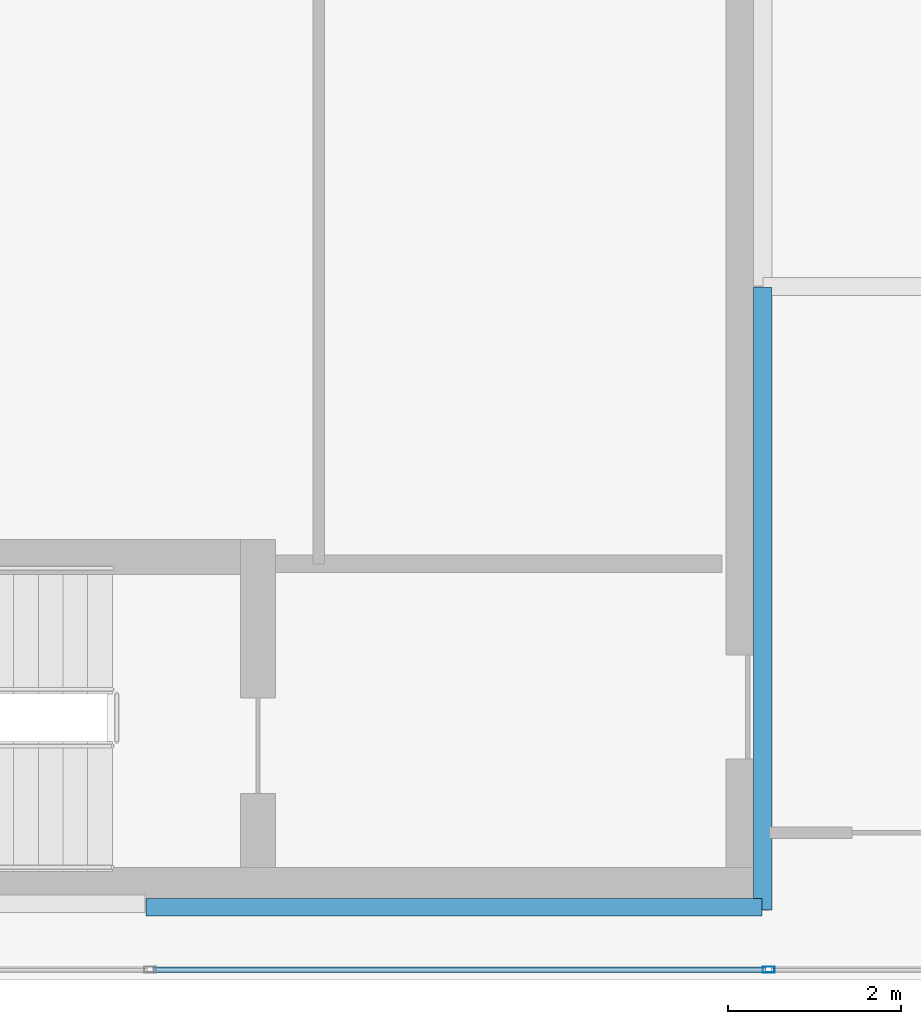
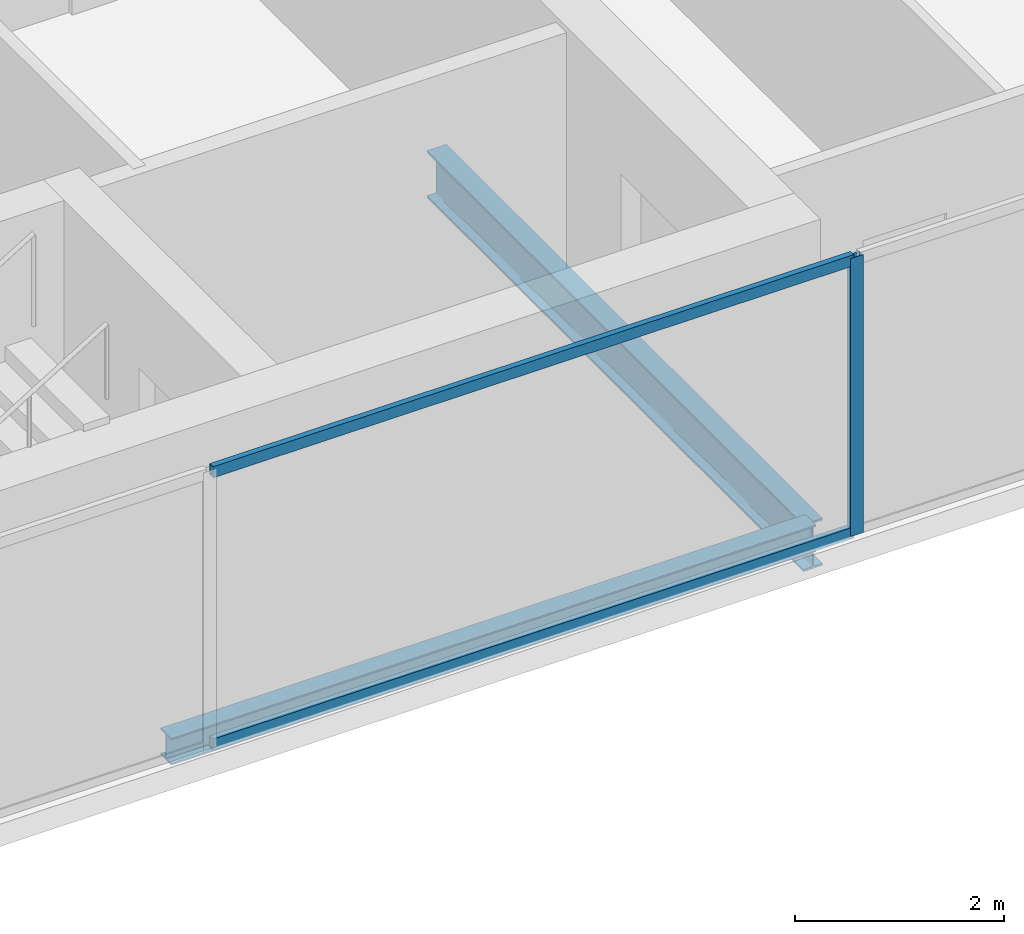
# One storey, part 3 of 23: 3 members, 2 beams, 1 element without a shape of its own.
"""IFC4 building model written with IfcOpenShell, lengths in metres."""

from ifc_helpers import new_model, si_unit, direction, frame, origin, origin_2d, place, context, subcontext, project, spatial, hollow_rectangle, i_section, extrude, material, material_profile, profile_set, type_object, element, aggregate, save


model = new_model("IFC4")

# Units and contexts
model_context = context("Model", 3, precision=1e-05, world=origin(), true_north=direction((0.0, 1.0)))
body_context = subcontext(model_context, "Body", "Model", "MODEL_VIEW")
ifc_project = project(units=[si_unit("LENGTHUNIT", "METRE"), si_unit("AREAUNIT", "SQUARE_METRE"), si_unit("VOLUMEUNIT", "CUBIC_METRE"), si_unit("PLANEANGLEUNIT", "RADIAN"), si_unit("MASSUNIT", "GRAM", prefix="KILO")], contexts=[model_context])

# Site, building, storey
site_placement = place(None, origin())
site = spatial("IfcSite", under=ifc_project, at=site_placement, CompositionType="ELEMENT")
building_placement = place(site_placement, origin())
building = spatial("IfcBuilding", under=site, at=building_placement, Name="Cobrela Telecom Tower", CompositionType="ELEMENT")
storey_placement = place(building_placement, frame((0.0, 0.0, 258.64990234375)))
storey = spatial("IfcBuildingStorey", under=building, at=storey_placement, Name="L67", CompositionType="ELEMENT", Elevation=258.64990234375)

# Beams
ifc_material_1 = material(Name="Steel ASTM A992 Grade 50", Category="steel")
ifc_material_profile_1 = material_profile(ifc_material_1, i_section(OverallWidth=0.212890625, OverallDepth=0.549072265625, WebThickness=0.0146484375, FlangeThickness=0.023681640625, FilletRadius=0.013916015625, at=origin_2d()), Name="W21X93")
ifc_profile_set_1 = profile_set([ifc_material_profile_1], Name="Steel ASTM A992 Grade 50")
beam_type_1 = type_object("IfcBeamType", Name="BM-GIRD-08", PredefinedType="USERDEFINED", material=ifc_profile_set_1)
beam_1_placement = place(storey_placement, frame((14.320068359375, 7.205078125, -0.534423828125), z_axis=(0.0, 1.0, 0.0), x_axis=(-1.0, 0.0, 0.0)))
element("IfcBeam", 1, at=beam_1_placement, inside=storey, type_object=beam_type_1, Name="L67 Primary Girder Y21", ObjectType="GIRDER", PredefinedType="USERDEFINED", context=body_context, shape_type="SweptSolid", body=[
    extrude(i_section(OverallWidth=0.212890625, OverallDepth=0.549072265625, WebThickness=0.0146484375, FlangeThickness=0.023681640625, FilletRadius=0.013916015625, at=origin_2d()), origin(), (0.0, 0.0, 1.0), 7.18994140625),
])
ifc_material_profile_2 = material_profile(ifc_material_1, i_section(OverallWidth=0.205078125, OverallDepth=0.31005859375, WebThickness=0.009521484375, FlangeThickness=0.016357421875, FilletRadius=0.010986328125, at=origin_2d()), Name="W12X50")
ifc_profile_set_2 = profile_set([ifc_material_profile_2], Name="Steel ASTM A992 Grade 50")
beam_type_2 = type_object("IfcBeamType", Name="BM-SPAND-07", PredefinedType="SPANDREL", material=ifc_profile_set_2)
beam_2_placement = place(storey_placement, frame((7.205078125, 7.239990234375, -0.414794921875), z_axis=(1.0, 0.0, 0.0), x_axis=(0.0, 1.0, 0.0)))
element("IfcBeam", 2, at=beam_2_placement, inside=storey, type_object=beam_type_2, Name="L67 Perimeter Spandrel X02", PredefinedType="SPANDREL", context=body_context, shape_type="SweptSolid", body=[
    extrude(i_section(OverallWidth=0.205078125, OverallDepth=0.31005859375, WebThickness=0.009521484375, FlangeThickness=0.016357421875, FilletRadius=0.010986328125, at=origin_2d()), origin(), (0.0, 0.0, 1.0), 7.10986328125),
])

# Curtain wall, members
ifc_material_2 = material(Name="Anodized Bronze Aluminium 6063-T6", Category="aluminium")
curtain_wall_type = type_object("IfcCurtainWallType", Name="CW-SYS-OFF-HI", PredefinedType="USERDEFINED", material=ifc_material_2)
curtain_wall_placement = place(storey_placement, origin())
curtain_wall = element("IfcCurtainWall", 3, at=curtain_wall_placement, inside=storey, type_object=curtain_wall_type, Name="L67 Unitised Bronze Curtain Wall 15", ObjectType="UNITISED CURTAIN WALL", PredefinedType="USERDEFINED")
ifc_material_profile_3 = material_profile(ifc_material_2, hollow_rectangle(XDim=0.070068359375, YDim=0.139892578125, WallThickness=0.00390625, at=origin_2d()), Name="ALU 70x140x4")
ifc_profile_set_3 = profile_set([ifc_material_profile_3], Name="Anodized Bronze Aluminium 6063-T6")
member_type_1 = type_object("IfcMemberType", Name="CW-SYS-OFF-HI-MUL", PredefinedType="MULLION", material=ifc_profile_set_3)
member_1_placement = place(storey_placement, frame((14.389892578125, 6.52001953125, 0.0), z_axis=(0.0, 0.0, 1.0), x_axis=(0.0, -1.0, 0.0)))
member_1 = element("IfcMember", 4, at=member_1_placement, type_object=member_type_1, Name="CW-OFF-HI mullion 5", PredefinedType="MULLION", context=body_context, shape_type="SweptSolid", body=[
    extrude(hollow_rectangle(XDim=0.070068359375, YDim=0.139892578125, WallThickness=0.00390625, at=origin_2d()), origin(), (0.0, 0.0, 1.0), 3.239990234375),
])
ifc_material_profile_4 = material_profile(ifc_material_2, hollow_rectangle(XDim=0.06494140625, YDim=0.1298828125, WallThickness=0.00390625, at=origin_2d()), Name="ALU 65x130x4")
ifc_profile_set_4 = profile_set([ifc_material_profile_4], Name="Anodized Bronze Aluminium 6063-T6")
member_type_2 = type_object("IfcMemberType", Name="CW-SYS-OFF-HI-TRN", PredefinedType="USERDEFINED", material=ifc_profile_set_4)
member_2_placement = place(storey_placement, frame((14.35498046875, 6.52001953125, 0.03271484375), z_axis=(-1.0, 0.0, 0.0), x_axis=(0.0, -1.0, 0.0)))
member_2 = element("IfcMember", 5, at=member_2_placement, type_object=member_type_2, Name="CW-OFF-HI transom 5.1", ObjectType="TRANSOM", PredefinedType="USERDEFINED", context=body_context, shape_type="SweptSolid", body=[
    extrude(hollow_rectangle(XDim=0.06494140625, YDim=0.1298828125, WallThickness=0.00390625, at=origin_2d()), origin(), (0.0, 0.0, 1.0), 7.06494140625),
])
member_3_placement = place(storey_placement, frame((14.35498046875, 6.52001953125, 3.20751953125), z_axis=(-1.0, 0.0, 0.0), x_axis=(0.0, -1.0, 0.0)))
member_3 = element("IfcMember", 6, at=member_3_placement, type_object=member_type_2, Name="CW-OFF-HI transom 5.2", ObjectType="TRANSOM", PredefinedType="USERDEFINED", context=body_context, shape_type="SweptSolid", body=[
    extrude(hollow_rectangle(XDim=0.06494140625, YDim=0.1298828125, WallThickness=0.00390625, at=origin_2d()), origin(), (0.0, 0.0, 1.0), 7.06494140625),
])
aggregate(curtain_wall, [member_1, member_2, member_3])

save(model, "model.ifc")
